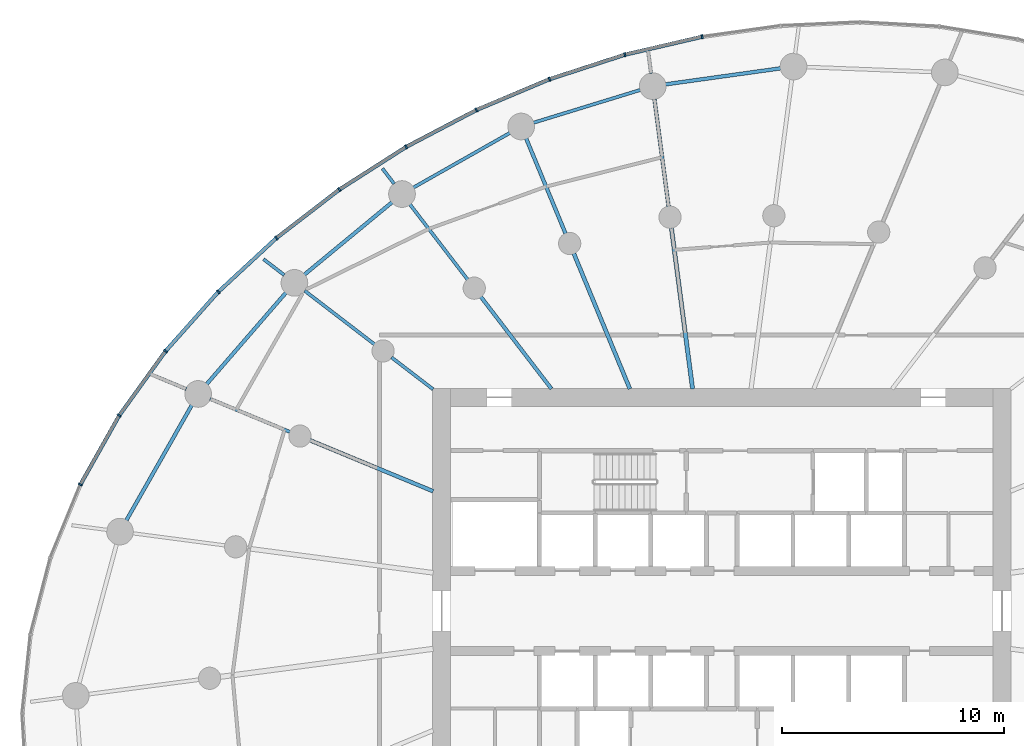
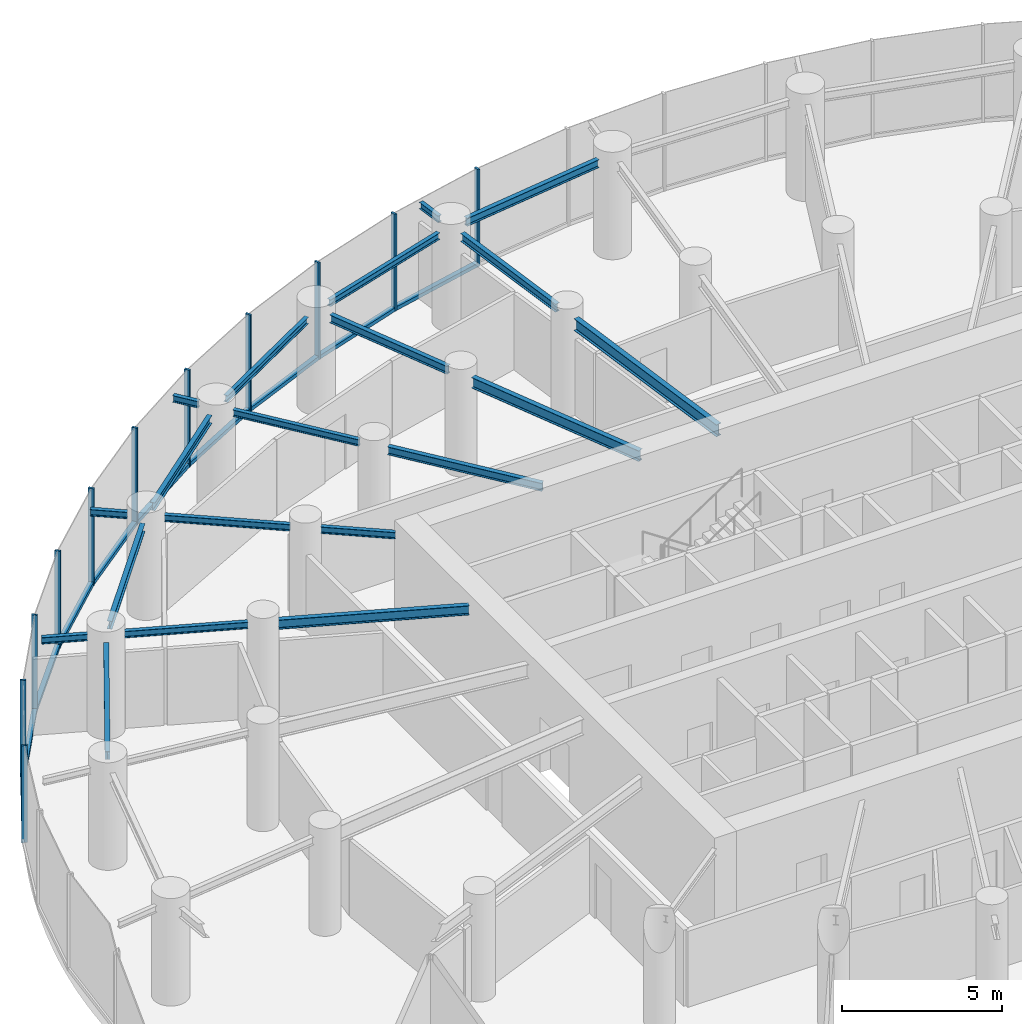
# One storey, part 6 of 17: 21 members, 20 beams, 3 elements without a shape of their own.
"""IFC4 building model written with IfcOpenShell, lengths in metres."""

from ifc_helpers import new_model, si_unit, direction, frame, origin, origin_2d, place, context, subcontext, project, spatial, rectangle, i_section, extrude, source, transform, mapped, material, layer, layer_set, material_profile, profile_set, type_object, element, aggregate, save


model = new_model("IFC4")

# Units and contexts
model_context = context("Model", 3, precision=1e-05, world=origin(), true_north=direction((0.0, 1.0)))
body_context = subcontext(model_context, "Body", "Model", "MODEL_VIEW")
ifc_project = project(units=[si_unit("LENGTHUNIT", "METRE"), si_unit("AREAUNIT", "SQUARE_METRE"), si_unit("VOLUMEUNIT", "CUBIC_METRE"), si_unit("PLANEANGLEUNIT", "RADIAN"), si_unit("MASSUNIT", "GRAM", prefix="KILO")], contexts=[model_context])

# Site, building, storey
site_placement = place(None, origin())
site = spatial("IfcSite", under=ifc_project, at=site_placement, CompositionType="ELEMENT")
building_placement = place(site_placement, origin())
building = spatial("IfcBuilding", under=site, at=building_placement, Name="Spindrift Exchange Tower", CompositionType="ELEMENT")
storey_placement = place(building_placement, frame((0.0, 0.0, 92.10009765625)))
storey = spatial("IfcBuildingStorey", under=building, at=storey_placement, Name="L21", CompositionType="ELEMENT", Elevation=92.10009765625)

# Beams
ifc_material_1 = material(Name="Steel Grade 300", Category="steel")
ifc_material_profile_1 = material_profile(ifc_material_1, i_section(OverallWidth=0.18994140625, OverallDepth=0.45703125, WebThickness=0.009033203125, FlangeThickness=0.014404296875, FilletRadius=0.013916015625, at=origin_2d()), Name="460UB74.6")
ifc_profile_set_1 = profile_set([ifc_material_profile_1], Name="Steel Grade 300")
beam_type_1 = type_object("IfcBeamType", Name="Floor Beam 460UB74.6 Steel Grade 300", PredefinedType="BEAM", material=ifc_profile_set_1)
shared_shape_1 = source(origin(), body_context, "Body", "SweptSolid", [
    extrude(i_section(OverallWidth=0.18994140625, OverallDepth=0.45703125, WebThickness=0.009033203125, FlangeThickness=0.014404296875, FilletRadius=0.013916015625, at=origin_2d()), origin(), (0.0, 0.0, 1.0), 7.3095703125),
])
beam_1_placement = place(storey_placement, frame((50.68603515625, 57.980224609375, 3.471435546875), z_axis=(-0.130527087244, 0.991444743541, 0.0), x_axis=(-0.991444743541, -0.130527087244, 0.0)))
element("IfcBeam", 1, at=beam_1_placement, inside=storey, type_object=beam_type_1, Name="L21 radial beam R07A", PredefinedType="BEAM", context=body_context, shape_type="MappedRepresentation", body=[
    mapped(shared_shape_1, transform((0.0, 0.0, 0.0), scale=1.0)),
])
ifc_material_profile_2 = material_profile(ifc_material_1, i_section(OverallWidth=0.177978515625, OverallDepth=0.406005859375, WebThickness=0.0078125, FlangeThickness=0.0126953125, FilletRadius=0.013916015625, at=origin_2d()), Name="410UB59.7")
ifc_profile_set_2 = profile_set([ifc_material_profile_2], Name="Steel Grade 300")
beam_type_2 = type_object("IfcBeamType", Name="Floor Beam 410UB59.7 Steel Grade 300", PredefinedType="BEAM", material=ifc_profile_set_2)
shared_shape_2 = source(origin(), body_context, "Body", "SweptSolid", [
    extrude(i_section(OverallWidth=0.177978515625, OverallDepth=0.406005859375, WebThickness=0.0078125, FlangeThickness=0.0126953125, FilletRadius=0.013916015625, at=origin_2d()), origin(), (0.0, 0.0, 1.0), 6.594482421875),
])
beam_2_placement = place(storey_placement, frame((47.865478515625, 57.9814453125, 3.496826171875), z_axis=(-0.382692929746, 0.92387559851, 0.0), x_axis=(-0.92387559851, -0.382692929746, 0.0)))
element("IfcBeam", 2, at=beam_2_placement, inside=storey, type_object=beam_type_2, Name="L21 radial beam R08A", PredefinedType="BEAM", context=body_context, shape_type="MappedRepresentation", body=[
    mapped(shared_shape_2, transform((0.0, 0.0, 0.0), scale=1.0)),
])
ifc_material_profile_3 = material_profile(ifc_material_1, i_section(OverallWidth=0.1650390625, OverallDepth=0.303955078125, WebThickness=0.006103515625, FlangeThickness=0.01025390625, FilletRadius=0.011474609375, at=origin_2d()), Name="310UB40.4")
ifc_profile_set_3 = profile_set([ifc_material_profile_3], Name="Steel Grade 300")
beam_type_3 = type_object("IfcBeamType", Name="Floor Beam 310UB40.4 Steel Grade 300", PredefinedType="BEAM", material=ifc_profile_set_3)
shared_shape_3 = source(origin(), body_context, "Body", "SweptSolid", [
    extrude(i_section(OverallWidth=0.1650390625, OverallDepth=0.303955078125, WebThickness=0.006103515625, FlangeThickness=0.01025390625, FilletRadius=0.011474609375, at=origin_2d()), origin(), (0.0, 0.0, 1.0), 5.224609375),
])
beam_3_placement = place(storey_placement, frame((44.3388671875, 57.984130859375, 3.5478515625), z_axis=(-0.608741499316, 0.793368632485, 0.0), x_axis=(-0.793368632485, -0.608741499316, 0.0)))
element("IfcBeam", 3, at=beam_3_placement, inside=storey, type_object=beam_type_3, Name="L21 radial beam R09A", PredefinedType="BEAM", context=body_context, shape_type="MappedRepresentation", body=[
    mapped(shared_shape_3, transform((0.0, 0.0, 0.0), scale=1.0)),
])
ifc_material_profile_4 = material_profile(ifc_material_1, i_section(OverallWidth=0.14599609375, OverallDepth=0.251953125, WebThickness=0.006103515625, FlangeThickness=0.008544921875, FilletRadius=0.011962890625, at=origin_2d()), Name="250UB31.4")
ifc_profile_set_4 = profile_set([ifc_material_profile_4], Name="Steel Grade 300")
beam_type_4 = type_object("IfcBeamType", Name="Floor Beam 250UB31.4 Steel Grade 300", PredefinedType="BEAM", material=ifc_profile_set_4)
shared_shape_4 = source(origin(), body_context, "Body", "SweptSolid", [
    extrude(i_section(OverallWidth=0.14599609375, OverallDepth=0.251953125, WebThickness=0.006103515625, FlangeThickness=0.008544921875, FilletRadius=0.011962890625, at=origin_2d()), origin(), (0.0, 0.0, 1.0), 2.353759765625),
])
beam_4_placement = place(storey_placement, frame((39.015869140625, 57.963134765625, 3.573974609375), z_axis=(-0.793367573265, 0.608742879787, 0.0), x_axis=(-0.608742879787, -0.793367573265, 0.0)))
element("IfcBeam", 4, at=beam_4_placement, inside=storey, type_object=beam_type_4, Name="L21 radial beam R10A", PredefinedType="BEAM", context=body_context, shape_type="MappedRepresentation", body=[
    mapped(shared_shape_4, transform((0.0, 0.0, 0.0), scale=1.0)),
])
ifc_material_profile_5 = material_profile(ifc_material_1, i_section(OverallWidth=0.172119140625, OverallDepth=0.35888671875, WebThickness=0.008056640625, FlangeThickness=0.012939453125, FilletRadius=0.013916015625, at=origin_2d()), Name="360UB56.7")
ifc_profile_set_5 = profile_set([ifc_material_profile_5], Name="Steel Grade 300")
beam_type_5 = type_object("IfcBeamType", Name="Floor Beam 360UB56.7 Steel Grade 300", PredefinedType="BEAM", material=ifc_profile_set_5)
shared_shape_5 = source(origin(), body_context, "Body", "SweptSolid", [
    extrude(i_section(OverallWidth=0.172119140625, OverallDepth=0.35888671875, WebThickness=0.008056640625, FlangeThickness=0.012939453125, FilletRadius=0.013916015625, at=origin_2d()), origin(), (0.0, 0.0, 1.0), 6.004638671875),
])
beam_5_placement = place(storey_placement, frame((39.0185546875, 53.377197265625, 3.5205078125), z_axis=(-0.923882044911, 0.38267736684, 0.0), x_axis=(-0.38267736684, -0.923882044911, 0.0)))
element("IfcBeam", 5, at=beam_5_placement, inside=storey, type_object=beam_type_5, Name="L21 radial beam R11A", PredefinedType="BEAM", context=body_context, shape_type="MappedRepresentation", body=[
    mapped(shared_shape_5, transform((0.0, 0.0, 0.0), scale=1.0)),
])
shared_shape_6 = source(origin(), body_context, "Body", "SweptSolid", [
    extrude(i_section(OverallWidth=0.1650390625, OverallDepth=0.303955078125, WebThickness=0.006103515625, FlangeThickness=0.01025390625, FilletRadius=0.011474609375, at=origin_2d()), origin(), (0.0, 0.0, 1.0), 4.883056640625),
])
beam_6_placement = place(storey_placement, frame((49.606689453125, 66.17919921875, 3.5478515625), z_axis=(-0.130542457964, 0.991442719812, 0.0), x_axis=(-0.991442719812, -0.130542457964, 0.0)))
element("IfcBeam", 6, at=beam_6_placement, inside=storey, type_object=beam_type_3, Name="L21 radial beam R07B", PredefinedType="BEAM", context=body_context, shape_type="MappedRepresentation", body=[
    mapped(shared_shape_6, transform((0.0, 0.0, 0.0), scale=1.0)),
])
shared_shape_7 = source(origin(), body_context, "Body", "SweptSolid", [
    extrude(i_section(OverallWidth=0.1650390625, OverallDepth=0.303955078125, WebThickness=0.006103515625, FlangeThickness=0.01025390625, FilletRadius=0.011474609375, at=origin_2d()), origin(), (0.0, 0.0, 1.0), 4.63671875),
])
beam_7_placement = place(storey_placement, frame((44.974609375, 64.9609375, 3.5478515625), z_axis=(-0.382692818086, 0.923875644763, 0.0), x_axis=(-0.923875644763, -0.382692818086, 0.0)))
element("IfcBeam", 7, at=beam_7_placement, inside=storey, type_object=beam_type_3, Name="L21 radial beam R08B", PredefinedType="BEAM", context=body_context, shape_type="MappedRepresentation", body=[
    mapped(shared_shape_7, transform((0.0, 0.0, 0.0), scale=1.0)),
])
shared_shape_8 = source(origin(), body_context, "Body", "SweptSolid", [
    extrude(i_section(OverallWidth=0.14599609375, OverallDepth=0.251953125, WebThickness=0.006103515625, FlangeThickness=0.008544921875, FilletRadius=0.011962890625, at=origin_2d()), origin(), (0.0, 0.0, 1.0), 4.27587890625),
])
beam_8_placement = place(storey_placement, frame((40.573974609375, 62.890625, 3.573974609375), z_axis=(-0.608725184746, 0.793381150177, 0.0), x_axis=(-0.793381150177, -0.608725184746, 0.0)))
element("IfcBeam", 8, at=beam_8_placement, inside=storey, type_object=beam_type_4, Name="L21 radial beam R09B", PredefinedType="BEAM", context=body_context, shape_type="MappedRepresentation", body=[
    mapped(shared_shape_8, transform((0.0, 0.0, 0.0), scale=1.0)),
])
shared_shape_9 = source(origin(), body_context, "Body", "SweptSolid", [
    extrude(i_section(OverallWidth=0.14599609375, OverallDepth=0.251953125, WebThickness=0.006103515625, FlangeThickness=0.008544921875, FilletRadius=0.011962890625, at=origin_2d()), origin(), (0.0, 0.0, 1.0), 3.966064453125),
])
beam_9_placement = place(storey_placement, frame((36.38671875, 59.98046875, 3.573974609375), z_axis=(-0.79336256318, 0.608749409318, 0.0), x_axis=(-0.608749409318, -0.79336256318, 0.0)))
element("IfcBeam", 9, at=beam_9_placement, inside=storey, type_object=beam_type_4, Name="L21 radial beam R10B", PredefinedType="BEAM", context=body_context, shape_type="MappedRepresentation", body=[
    mapped(shared_shape_9, transform((0.0, 0.0, 0.0), scale=1.0)),
])
shared_shape_10 = source(origin(), body_context, "Body", "SweptSolid", [
    extrude(i_section(OverallWidth=0.14599609375, OverallDepth=0.251953125, WebThickness=0.006103515625, FlangeThickness=0.008544921875, FilletRadius=0.011962890625, at=origin_2d()), origin(), (0.0, 0.0, 1.0), 3.892333984375),
])
beam_10_placement = place(storey_placement, frame((32.583984375, 56.04248046875, 3.573974609375), z_axis=(-0.923878458273, 0.382686025794, 0.0), x_axis=(-0.382686025794, -0.923878458273, 0.0)))
element("IfcBeam", 10, at=beam_10_placement, inside=storey, type_object=beam_type_4, Name="L21 radial beam R11B", PredefinedType="BEAM", context=body_context, shape_type="MappedRepresentation", body=[
    mapped(shared_shape_10, transform((0.0, 0.0, 0.0), scale=1.0)),
])
ifc_material_profile_6 = material_profile(ifc_material_1, i_section(OverallWidth=0.1650390625, OverallDepth=0.303955078125, WebThickness=0.006103515625, FlangeThickness=0.01025390625, FilletRadius=0.011474609375, at=origin_2d()), Name="310UB40.4")
ifc_profile_set_6 = profile_set([ifc_material_profile_6], Name="Steel Grade 300")
beam_type_6 = type_object("IfcBeamType", Name="Edge Beam 310UB40.4 Steel Grade 300", PredefinedType="SPANDREL", material=ifc_profile_set_6)
shared_shape_11 = source(origin(), body_context, "Body", "SweptSolid", [
    extrude(i_section(OverallWidth=0.1650390625, OverallDepth=0.303955078125, WebThickness=0.006103515625, FlangeThickness=0.01025390625, FilletRadius=0.011474609375, at=origin_2d()), origin(), (0.0, 0.0, 1.0), 5.22998046875),
])
beam_11_placement = place(storey_placement, frame((54.64794921875, 72.396728515625, 3.5478515625), z_axis=(-0.990440078597, -0.137943650481, 0.0), x_axis=(0.137943650481, -0.990440078597, 0.0)))
element("IfcBeam", 11, at=beam_11_placement, inside=storey, type_object=beam_type_6, Name="L21 edge beam E06", PredefinedType="SPANDREL", context=body_context, shape_type="MappedRepresentation", body=[
    mapped(shared_shape_11, transform((0.0, 0.0, 0.0), scale=1.0)),
])
ifc_material_profile_7 = material_profile(ifc_material_1, i_section(OverallWidth=0.14599609375, OverallDepth=0.251953125, WebThickness=0.006103515625, FlangeThickness=0.008544921875, FilletRadius=0.011962890625, at=origin_2d()), Name="250UB31.4")
ifc_profile_set_7 = profile_set([ifc_material_profile_7], Name="Steel Grade 300")
beam_type_7 = type_object("IfcBeamType", Name="Edge Beam 250UB31.4 Steel Grade 300", PredefinedType="SPANDREL", material=ifc_profile_set_7)
shared_shape_12 = source(origin(), body_context, "Body", "SweptSolid", [
    extrude(i_section(OverallWidth=0.14599609375, OverallDepth=0.251953125, WebThickness=0.006103515625, FlangeThickness=0.008544921875, FilletRadius=0.011962890625, at=origin_2d()), origin(), (0.0, 0.0, 1.0), 5.027587890625),
])
beam_12_placement = place(storey_placement, frame((48.339111328125, 71.42529296875, 3.573974609375), z_axis=(-0.956018084082, -0.293307727325, 0.0), x_axis=(0.293307727325, -0.956018084082, 0.0)))
element("IfcBeam", 12, at=beam_12_placement, inside=storey, type_object=beam_type_7, Name="L21 edge beam E07", PredefinedType="SPANDREL", context=body_context, shape_type="MappedRepresentation", body=[
    mapped(shared_shape_12, transform((0.0, 0.0, 0.0), scale=1.0)),
])
shared_shape_13 = source(origin(), body_context, "Body", "SweptSolid", [
    extrude(i_section(OverallWidth=0.14599609375, OverallDepth=0.251953125, WebThickness=0.006103515625, FlangeThickness=0.008544921875, FilletRadius=0.011962890625, at=origin_2d()), origin(), (0.0, 0.0, 1.0), 5.0009765625),
])
beam_13_placement = place(storey_placement, frame((42.4736328125, 69.494384765625, 3.573974609375), z_axis=(-0.870045916697, -0.492970691663, 0.0), x_axis=(0.492970691663, -0.870045916697, 0.0)))
element("IfcBeam", 13, at=beam_13_placement, inside=storey, type_object=beam_type_7, Name="L21 edge beam E08", PredefinedType="SPANDREL", context=body_context, shape_type="MappedRepresentation", body=[
    mapped(shared_shape_13, transform((0.0, 0.0, 0.0), scale=1.0)),
])
shared_shape_14 = source(origin(), body_context, "Body", "SweptSolid", [
    extrude(i_section(OverallWidth=0.1650390625, OverallDepth=0.303955078125, WebThickness=0.006103515625, FlangeThickness=0.01025390625, FilletRadius=0.011474609375, at=origin_2d()), origin(), (0.0, 0.0, 1.0), 5.114501953125),
])
beam_14_placement = place(storey_placement, frame((37.1708984375, 66.373779296875, 3.5478515625), z_axis=(-0.771073837992, -0.63674573918, 0.0), x_axis=(0.63674573918, -0.771073837992, 0.0)))
element("IfcBeam", 14, at=beam_14_placement, inside=storey, type_object=beam_type_6, Name="L21 edge beam E09", PredefinedType="SPANDREL", context=body_context, shape_type="MappedRepresentation", body=[
    mapped(shared_shape_14, transform((0.0, 0.0, 0.0), scale=1.0)),
])
shared_shape_15 = source(origin(), body_context, "Body", "SweptSolid", [
    extrude(i_section(OverallWidth=0.1650390625, OverallDepth=0.303955078125, WebThickness=0.006103515625, FlangeThickness=0.01025390625, FilletRadius=0.011474609375, at=origin_2d()), origin(), (0.0, 0.0, 1.0), 5.448486328125),
])
beam_15_placement = place(storey_placement, frame((32.400390625, 62.3095703125, 3.5478515625), z_axis=(-0.654922008827, -0.755696475018, 0.0), x_axis=(0.755696475018, -0.654922008827, 0.0)))
element("IfcBeam", 15, at=beam_15_placement, inside=storey, type_object=beam_type_6, Name="L21 edge beam E10", PredefinedType="SPANDREL", context=body_context, shape_type="MappedRepresentation", body=[
    mapped(shared_shape_15, transform((0.0, 0.0, 0.0), scale=1.0)),
])
shared_shape_16 = source(origin(), body_context, "Body", "SweptSolid", [
    extrude(i_section(OverallWidth=0.1650390625, OverallDepth=0.303955078125, WebThickness=0.006103515625, FlangeThickness=0.01025390625, FilletRadius=0.011474609375, at=origin_2d()), origin(), (0.0, 0.0, 1.0), 5.9599609375),
])
beam_16_placement = place(storey_placement, frame((28.165771484375, 57.24951171875, 3.5478515625), z_axis=(-0.493940434745, -0.869495742901, 0.0), x_axis=(0.869495742901, -0.493940434745, 0.0)))
element("IfcBeam", 16, at=beam_16_placement, inside=storey, type_object=beam_type_6, Name="L21 edge beam E11", PredefinedType="SPANDREL", context=body_context, shape_type="MappedRepresentation", body=[
    mapped(shared_shape_16, transform((0.0, 0.0, 0.0), scale=1.0)),
])
ifc_material_profile_8 = material_profile(ifc_material_1, i_section(OverallWidth=0.14599609375, OverallDepth=0.251953125, WebThickness=0.006103515625, FlangeThickness=0.008544921875, FilletRadius=0.011962890625, at=origin_2d()), Name="250UB31.4")
ifc_profile_set_8 = profile_set([ifc_material_profile_8], Name="Steel Grade 300")
beam_type_8 = type_object("IfcBeamType", Name="Cantilever Beam 250UB31.4 Steel Grade 300", PredefinedType="BEAM", material=ifc_profile_set_8)
shared_shape_17 = source(origin(), body_context, "Body", "SweptSolid", [
    extrude(i_section(OverallWidth=0.14599609375, OverallDepth=0.251953125, WebThickness=0.006103515625, FlangeThickness=0.008544921875, FilletRadius=0.011962890625, at=origin_2d()), origin(), (0.0, 0.0, 1.0), 0.964111328125),
])
beam_17_placement = place(storey_placement, frame((48.81787109375, 72.17041015625, 3.573974609375), z_axis=(-0.130421757725, 0.99145860484, 0.0), x_axis=(-0.99145860484, -0.130421757725, 0.0)))
element("IfcBeam", 17, at=beam_17_placement, inside=storey, type_object=beam_type_8, Name="L21 cantilever beam R07T", PredefinedType="BEAM", context=body_context, shape_type="MappedRepresentation", body=[
    mapped(shared_shape_17, transform((0.0, 0.0, 0.0), scale=1.0)),
])
shared_shape_18 = source(origin(), body_context, "Body", "SweptSolid", [
    extrude(i_section(OverallWidth=0.14599609375, OverallDepth=0.251953125, WebThickness=0.006103515625, FlangeThickness=0.008544921875, FilletRadius=0.011962890625, at=origin_2d()), origin(), (0.0, 0.0, 1.0), 0.86669921875),
])
beam_18_placement = place(storey_placement, frame((37.264892578125, 67.203125, 3.573974609375), z_axis=(-0.608662126382, 0.793429528004, 0.0), x_axis=(-0.793429528004, -0.608662126382, 0.0)))
element("IfcBeam", 18, at=beam_18_placement, inside=storey, type_object=beam_type_8, Name="L21 cantilever beam R09T", PredefinedType="BEAM", context=body_context, shape_type="MappedRepresentation", body=[
    mapped(shared_shape_18, transform((0.0, 0.0, 0.0), scale=1.0)),
])
shared_shape_19 = source(origin(), body_context, "Body", "SweptSolid", [
    extrude(i_section(OverallWidth=0.14599609375, OverallDepth=0.251953125, WebThickness=0.006103515625, FlangeThickness=0.008544921875, FilletRadius=0.011962890625, at=origin_2d()), origin(), (0.0, 0.0, 1.0), 1.17333984375),
])
beam_19_placement = place(storey_placement, frame((32.320068359375, 63.10107421875, 3.573974609375), z_axis=(-0.793435521071, 0.608654313961, 0.0), x_axis=(-0.608654313961, -0.793435521071, 0.0)))
element("IfcBeam", 19, at=beam_19_placement, inside=storey, type_object=beam_type_8, Name="L21 cantilever beam R10T", PredefinedType="BEAM", context=body_context, shape_type="MappedRepresentation", body=[
    mapped(shared_shape_19, transform((0.0, 0.0, 0.0), scale=1.0)),
])
shared_shape_20 = source(origin(), body_context, "Body", "SweptSolid", [
    extrude(i_section(OverallWidth=0.14599609375, OverallDepth=0.251953125, WebThickness=0.006103515625, FlangeThickness=0.008544921875, FilletRadius=0.011962890625, at=origin_2d()), origin(), (0.0, 0.0, 1.0), 1.451171875),
])
beam_20_placement = place(storey_placement, frame((27.91650390625, 57.975830078125, 3.573974609375), z_axis=(-0.923930728821, 0.382559810149, 0.0), x_axis=(-0.382559810149, -0.923930728821, 0.0)))
element("IfcBeam", 20, at=beam_20_placement, inside=storey, type_object=beam_type_8, Name="L21 cantilever beam R11T", PredefinedType="BEAM", context=body_context, shape_type="MappedRepresentation", body=[
    mapped(shared_shape_20, transform((0.0, 0.0, 0.0), scale=1.0)),
])

# Curtain wall, members
ifc_material_2 = material(Name="Fritted laminated glass with bronze frame", Category="glass")
ifc_layer = layer(ifc_material_2, 0.18994140625)
ifc_layer_set = layer_set([ifc_layer], Name="ZONE 2 BRONZE FRITTED WALL")
curtain_wall_type = type_object("IfcCurtainWallType", Name="ZONE 2 BRONZE FRITTED WALL", PredefinedType="NOTDEFINED", material=ifc_layer_set)
curtain_wall_1_placement = place(storey_placement, origin())
curtain_wall_1 = element("IfcCurtainWall", 21, at=curtain_wall_1_placement, inside=storey, type_object=curtain_wall_type, Name="L21 Zone 2 Bronze Fritted Wall run 2", PredefinedType="NOTDEFINED")
ifc_material_3 = material(Name="Bronze anodised aluminium", Category="aluminium")
ifc_material_profile_9 = material_profile(ifc_material_3, rectangle(XDim=0.074951171875, YDim=0.18994140625, at=origin_2d()), Name="ZONE 2 BRONZE FRITTED WALL MULLION 75X190")
ifc_profile_set_9 = profile_set([ifc_material_profile_9], Name="Bronze anodised aluminium")
member_type_1 = type_object("IfcMemberType", Name="ZONE 2 BRONZE FRITTED WALL MULLION 75X190", PredefinedType="MULLION", material=ifc_profile_set_9)
shared_shape_21 = source(origin(), body_context, "Body", "SweptSolid", [
    extrude(rectangle(XDim=0.074951171875, YDim=0.18994140625, at=origin_2d()), origin(), (0.0, 0.0, 1.0), 3.699951171875),
])
member_1_placement = place(storey_placement, frame((51.115234375, 73.81787109375, 0.0), z_axis=(0.0, 0.0, 1.0), x_axis=(-0.983190648165, -0.182581897683, 0.0)))
member_1 = element("IfcMember", 22, at=member_1_placement, type_object=member_type_1, Name="L21 mullion CW-2.11", PredefinedType="MULLION", context=body_context, shape_type="MappedRepresentation", body=[
    mapped(shared_shape_21, transform((0.0, 0.0, 0.0), scale=1.0)),
])
member_2_placement = place(storey_placement, frame((47.64111328125, 73.010986328125, 0.0), z_axis=(0.0, 0.0, 1.0), x_axis=(-0.963428129058, -0.267966863884, 0.0)))
member_2 = element("IfcMember", 23, at=member_2_placement, type_object=member_type_1, Name="L21 mullion CW-2.12", PredefinedType="MULLION", context=body_context, shape_type="MappedRepresentation", body=[
    mapped(shared_shape_21, transform((0.0, 0.0, 0.0), scale=1.0)),
])

curtain_wall_2_placement = place(storey_placement, origin())
curtain_wall_2 = element("IfcCurtainWall", 24, at=curtain_wall_2_placement, inside=storey, type_object=curtain_wall_type, Name="L21 Zone 2 Bronze Fritted Wall run 3", PredefinedType="NOTDEFINED")
member_3_placement = place(storey_placement, frame((44.249267578125, 71.908203125, 0.0), z_axis=(0.0, 0.0, 1.0), x_axis=(-0.93704994984, -0.34919534863, 0.0)))
member_3 = element("IfcMember", 25, at=member_3_placement, type_object=member_type_1, Name="L21 mullion CW-2.13", PredefinedType="MULLION", context=body_context, shape_type="MappedRepresentation", body=[
    mapped(shared_shape_21, transform((0.0, 0.0, 0.0), scale=1.0)),
])
member_4_placement = place(storey_placement, frame((40.962890625, 70.5224609375, 0.0), z_axis=(0.0, 0.0, 1.0), x_axis=(-0.904242223225, -0.427019907894, 0.0)))
member_4 = element("IfcMember", 26, at=member_4_placement, type_object=member_type_1, Name="L21 mullion CW-2.14", PredefinedType="MULLION", context=body_context, shape_type="MappedRepresentation", body=[
    mapped(shared_shape_21, transform((0.0, 0.0, 0.0), scale=1.0)),
])
member_5_placement = place(storey_placement, frame((37.8046875, 68.86474609375, 0.0), z_axis=(0.0, 0.0, 1.0), x_axis=(-0.864825853428, -0.502071950265, 0.0)))
member_5 = element("IfcMember", 27, at=member_5_placement, type_object=member_type_1, Name="L21 mullion CW-2.15", PredefinedType="MULLION", context=body_context, shape_type="MappedRepresentation", body=[
    mapped(shared_shape_21, transform((0.0, 0.0, 0.0), scale=1.0)),
])
member_6_placement = place(storey_placement, frame((34.79931640625, 66.944091796875, 0.0), z_axis=(0.0, 0.0, 1.0), x_axis=(-0.818286189941, -0.574811022296, 0.0)))
member_6 = element("IfcMember", 28, at=member_6_placement, type_object=member_type_1, Name="L21 mullion CW-2.16", PredefinedType="MULLION", context=body_context, shape_type="MappedRepresentation", body=[
    mapped(shared_shape_21, transform((0.0, 0.0, 0.0), scale=1.0)),
])
member_7_placement = place(storey_placement, frame((31.973388671875, 64.7685546875, 0.0), z_axis=(0.0, 0.0, 1.0), x_axis=(-0.763768292304, -0.645490507808, 0.0)))
member_7 = element("IfcMember", 29, at=member_7_placement, type_object=member_type_1, Name="L21 mullion CW-2.17", PredefinedType="MULLION", context=body_context, shape_type="MappedRepresentation", body=[
    mapped(shared_shape_21, transform((0.0, 0.0, 0.0), scale=1.0)),
])
member_8_placement = place(storey_placement, frame((29.35693359375, 62.3447265625, 0.0), z_axis=(0.0, 0.0, 1.0), x_axis=(-0.700038419501, -0.714105182184, 0.0)))
member_8 = element("IfcMember", 30, at=member_8_placement, type_object=member_type_1, Name="L21 mullion CW-2.18", PredefinedType="MULLION", context=body_context, shape_type="MappedRepresentation", body=[
    mapped(shared_shape_21, transform((0.0, 0.0, 0.0), scale=1.0)),
])

curtain_wall_3_placement = place(storey_placement, origin())
curtain_wall_3 = element("IfcCurtainWall", 31, at=curtain_wall_3_placement, inside=storey, type_object=curtain_wall_type, Name="L21 Zone 2 Bronze Fritted Wall run 4", PredefinedType="NOTDEFINED")
member_9_placement = place(storey_placement, frame((26.98583984375, 59.680908203125, 0.0), z_axis=(0.0, 0.0, 1.0), x_axis=(-0.625496804431, -0.78022672836, 0.0)))
member_9 = element("IfcMember", 32, at=member_9_placement, type_object=member_type_1, Name="L21 mullion CW-2.19", PredefinedType="MULLION", context=body_context, shape_type="MappedRepresentation", body=[
    mapped(shared_shape_21, transform((0.0, 0.0, 0.0), scale=1.0)),
])
member_10_placement = place(storey_placement, frame((24.901611328125, 56.787353515625, 0.0), z_axis=(0.0, 0.0, 1.0), x_axis=(-0.538152163924, -0.84284770182, 0.0)))
member_10 = element("IfcMember", 33, at=member_10_placement, type_object=member_type_1, Name="L21 mullion CW-2.20", PredefinedType="MULLION", context=body_context, shape_type="MappedRepresentation", body=[
    mapped(shared_shape_21, transform((0.0, 0.0, 0.0), scale=1.0)),
])
member_11_placement = place(storey_placement, frame((23.15380859375, 53.67919921875, 0.0), z_axis=(0.0, 0.0, 1.0), x_axis=(-0.435764887637, -0.900060532799, 0.0)))
member_11 = element("IfcMember", 34, at=member_11_placement, type_object=member_type_1, Name="L21 mullion CW-2.21", PredefinedType="MULLION", context=body_context, shape_type="MappedRepresentation", body=[
    mapped(shared_shape_21, transform((0.0, 0.0, 0.0), scale=1.0)),
])

# Member
ifc_material_profile_10 = material_profile(ifc_material_3, rectangle(XDim=0.169921875, YDim=0.139892578125, at=origin_2d()), Name="ZONE 2 BRONZE FRITTED WALL TRANSOM 170X140")
ifc_profile_set_10 = profile_set([ifc_material_profile_10], Name="Bronze anodised aluminium")
member_type_2 = type_object("IfcMemberType", Name="ZONE 2 BRONZE FRITTED WALL TRANSOM 170X140", PredefinedType="USERDEFINED", material=ifc_profile_set_10)
shared_shape_22 = source(origin(), body_context, "Body", "SweptSolid", [
    extrude(rectangle(XDim=0.169921875, YDim=0.139892578125, at=origin_2d()), origin(), (0.0, 0.0, 1.0), 3.4912109375),
])
member_12_placement = place(storey_placement, frame((29.33203125, 62.316650390625, 0.06982421875), z_axis=(-0.664901892463, -0.746930701872, 0.0), x_axis=(0.746930701872, -0.664901892463, 0.0)))
member_12 = element("IfcMember", 35, at=member_12_placement, type_object=member_type_2, Name="L21 transom CW-2.18", ObjectType="TRANSOM", PredefinedType="USERDEFINED", context=body_context, shape_type="MappedRepresentation", body=[
    mapped(shared_shape_22, transform((0.0, 0.0, 0.0), scale=1.0)),
])

shared_shape_23 = source(origin(), body_context, "Body", "SweptSolid", [
    extrude(rectangle(XDim=0.169921875, YDim=0.139892578125, at=origin_2d()), origin(), (0.0, 0.0, 1.0), 3.49169921875),
])
member_13_placement = place(storey_placement, frame((51.078857421875, 73.809326171875, 0.06982421875), z_axis=(-0.974081521018, -0.22619723785, 0.0), x_axis=(0.22619723785, -0.974081521018, 0.0)))
member_13 = element("IfcMember", 36, at=member_13_placement, type_object=member_type_2, Name="L21 transom CW-2.11", ObjectType="TRANSOM", PredefinedType="USERDEFINED", context=body_context, shape_type="MappedRepresentation", body=[
    mapped(shared_shape_23, transform((0.0, 0.0, 0.0), scale=1.0)),
])

member_14_placement = place(storey_placement, frame((47.60546875, 72.99951171875, 0.06982421875), z_axis=(-0.950979074359, -0.309255234607, 0.0), x_axis=(0.309255234607, -0.950979074359, 0.0)))
member_14 = element("IfcMember", 37, at=member_14_placement, type_object=member_type_2, Name="L21 transom CW-2.12", ObjectType="TRANSOM", PredefinedType="USERDEFINED", context=body_context, shape_type="MappedRepresentation", body=[
    mapped(shared_shape_23, transform((0.0, 0.0, 0.0), scale=1.0)),
])

aggregate(curtain_wall_1, [member_1, member_13, member_2, member_14])

member_15_placement = place(storey_placement, frame((40.9296875, 70.5048828125, 0.06982421875), z_axis=(-0.885472710715, -0.464691379928, 0.0), x_axis=(0.464691379928, -0.885472710715, 0.0)))
member_15 = element("IfcMember", 38, at=member_15_placement, type_object=member_type_2, Name="L21 transom CW-2.14", ObjectType="TRANSOM", PredefinedType="USERDEFINED", context=body_context, shape_type="MappedRepresentation", body=[
    mapped(shared_shape_23, transform((0.0, 0.0, 0.0), scale=1.0)),
])

member_16_placement = place(storey_placement, frame((34.76953125, 66.92138671875, 0.06982421875), z_axis=(-0.792350981717, -0.610065506132, 0.0), x_axis=(0.610065506132, -0.792350981717, 0.0)))
member_16 = element("IfcMember", 39, at=member_16_placement, type_object=member_type_2, Name="L21 transom CW-2.16", ObjectType="TRANSOM", PredefinedType="USERDEFINED", context=body_context, shape_type="MappedRepresentation", body=[
    mapped(shared_shape_23, transform((0.0, 0.0, 0.0), scale=1.0)),
])

shared_shape_24 = source(origin(), body_context, "Body", "SweptSolid", [
    extrude(rectangle(XDim=0.169921875, YDim=0.139892578125, at=origin_2d()), origin(), (0.0, 0.0, 1.0), 3.49072265625),
])
member_17_placement = place(storey_placement, frame((24.88330078125, 56.754638671875, 0.06982421875), z_axis=(-0.490131733133, -0.871648371866, 0.0), x_axis=(0.871648371866, -0.490131733133, 0.0)))
member_17 = element("IfcMember", 40, at=member_17_placement, type_object=member_type_2, Name="L21 transom CW-2.20", ObjectType="TRANSOM", PredefinedType="USERDEFINED", context=body_context, shape_type="MappedRepresentation", body=[
    mapped(shared_shape_24, transform((0.0, 0.0, 0.0), scale=1.0)),
])

shared_shape_25 = source(origin(), body_context, "Body", "SweptSolid", [
    extrude(rectangle(XDim=0.169921875, YDim=0.139892578125, at=origin_2d()), origin(), (0.0, 0.0, 1.0), 3.491455078125),
])
member_18_placement = place(storey_placement, frame((31.94580078125, 64.742919921875, 0.06982421875), z_axis=(-0.733582479643, -0.679600430812, 0.0), x_axis=(0.679600430812, -0.733582479643, 0.0)))
member_18 = element("IfcMember", 41, at=member_18_placement, type_object=member_type_2, Name="L21 transom CW-2.17", ObjectType="TRANSOM", PredefinedType="USERDEFINED", context=body_context, shape_type="MappedRepresentation", body=[
    mapped(shared_shape_25, transform((0.0, 0.0, 0.0), scale=1.0)),
])

shared_shape_26 = source(origin(), body_context, "Body", "SweptSolid", [
    extrude(rectangle(XDim=0.169921875, YDim=0.139892578125, at=origin_2d()), origin(), (0.0, 0.0, 1.0), 3.490966796875),
])
member_19_placement = place(storey_placement, frame((26.9638671875, 59.650390625, 0.06982421875), z_axis=(-0.584435521449, -0.811440152611, 0.0), x_axis=(0.811440152611, -0.584435521449, 0.0)))
member_19 = element("IfcMember", 42, at=member_19_placement, type_object=member_type_2, Name="L21 transom CW-2.19", ObjectType="TRANSOM", PredefinedType="USERDEFINED", context=body_context, shape_type="MappedRepresentation", body=[
    mapped(shared_shape_26, transform((0.0, 0.0, 0.0), scale=1.0)),
])

aggregate(curtain_wall_3, [member_9, member_19, member_10, member_17, member_11])

shared_shape_27 = source(origin(), body_context, "Body", "SweptSolid", [
    extrude(rectangle(XDim=0.169921875, YDim=0.139892578125, at=origin_2d()), origin(), (0.0, 0.0, 1.0), 3.491943359375),
])
member_20_placement = place(storey_placement, frame((44.21484375, 71.8935546875, 0.06982421875), z_axis=(-0.921436525411, -0.388528930246, 0.0), x_axis=(0.388528930246, -0.921436525411, 0.0)))
member_20 = element("IfcMember", 43, at=member_20_placement, type_object=member_type_2, Name="L21 transom CW-2.13", ObjectType="TRANSOM", PredefinedType="USERDEFINED", context=body_context, shape_type="MappedRepresentation", body=[
    mapped(shared_shape_27, transform((0.0, 0.0, 0.0), scale=1.0)),
])

member_21_placement = place(storey_placement, frame((37.773193359375, 68.8447265625, 0.06982421875), z_axis=(-0.842629287042, -0.538494089678, 0.0), x_axis=(0.538494089678, -0.842629287042, 0.0)))
member_21 = element("IfcMember", 44, at=member_21_placement, type_object=member_type_2, Name="L21 transom CW-2.15", ObjectType="TRANSOM", PredefinedType="USERDEFINED", context=body_context, shape_type="MappedRepresentation", body=[
    mapped(shared_shape_27, transform((0.0, 0.0, 0.0), scale=1.0)),
])

aggregate(curtain_wall_2, [member_3, member_20, member_4, member_15, member_5, member_21, member_6, member_16, member_7, member_18, member_8, member_12])

save(model, "model.ifc")
